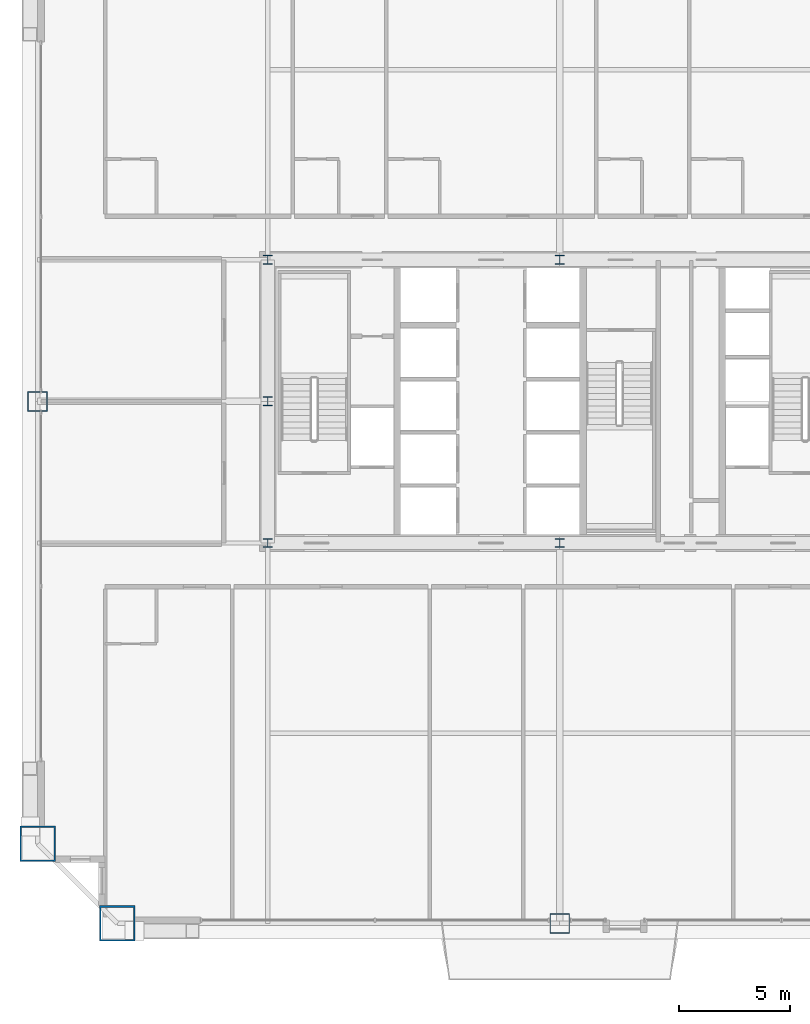
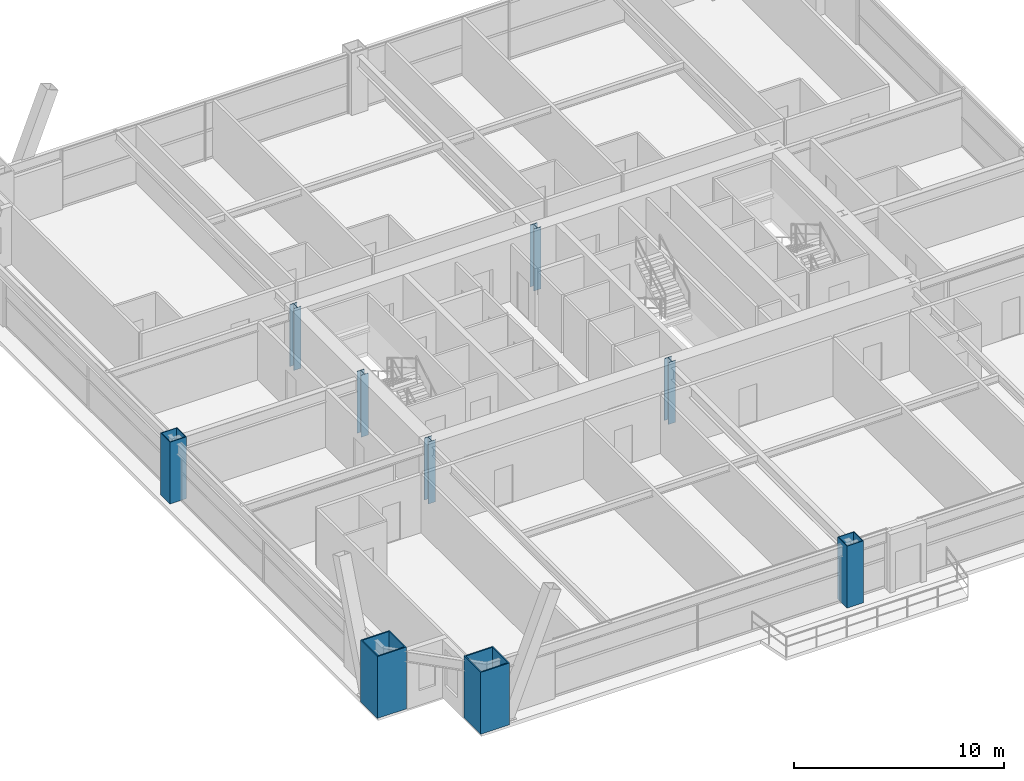
# One storey, part 1 of 41: 9 columns.
"""IFC4 building model written with IfcOpenShell, lengths in metres."""

from ifc_helpers import new_model, si_unit, direction, frame, origin, origin_2d, place, context, subcontext, project, spatial, hollow_rectangle, i_section, extrude, source, transform, mapped, material, material_profile, profile_set, type_object, element, save


model = new_model("IFC4")

# Units and contexts
model_context = context("Model", 3, precision=1e-05, world=origin(), true_north=direction((0.0, 1.0)))
body_context = subcontext(model_context, "Body", "Model", "MODEL_VIEW")
ifc_project = project(units=[si_unit("LENGTHUNIT", "METRE"), si_unit("AREAUNIT", "SQUARE_METRE"), si_unit("VOLUMEUNIT", "CUBIC_METRE"), si_unit("PLANEANGLEUNIT", "RADIAN"), si_unit("MASSUNIT", "GRAM", prefix="KILO"), si_unit("THERMODYNAMICTEMPERATUREUNIT", "KELVIN"), si_unit("POWERUNIT", "WATT")], contexts=[model_context])

# Site, building, storey
site_placement = place(None, origin())
site = spatial("IfcSite", under=ifc_project, at=site_placement, CompositionType="ELEMENT")
building_placement = place(site_placement, origin())
building = spatial("IfcBuilding", under=site, at=building_placement, Name="Yuzanri Waterfront Tower", CompositionType="ELEMENT")
storey_placement = place(building_placement, frame((0.0, 0.0, 152.39990234375)))
storey = spatial("IfcBuildingStorey", under=building, at=storey_placement, Name="L40", CompositionType="ELEMENT", Elevation=152.39990234375)

# Columns
ifc_material_1 = material(Name="Steel Q390GJC", Category="steel")
ifc_material_profile_1 = material_profile(ifc_material_1, hollow_rectangle(XDim=0.89990234375, YDim=0.89990234375, WallThickness=0.0419921875, at=origin_2d()), Name="RHS 900x900x42")
ifc_profile_set_1 = profile_set([ifc_material_profile_1], Name="Steel Q390GJC")
column_type_1 = type_object("IfcColumnType", Name="Frame Column Q390GJC RHS 900x900x42", PredefinedType="COLUMN", material=ifc_profile_set_1)
shared_shape_1 = source(origin(), body_context, "Body", "SweptSolid", [
    extrude(hollow_rectangle(XDim=0.89990234375, YDim=0.89990234375, WallThickness=0.0419921875, at=origin_2d()), origin(), (0.0, 0.0, 1.0), 3.60009765625),
])
for number, where, z_axis, x_axis, name in (
    (1, (37.0, 2.199951171875, 0.0), (0.0, 0.0, 1.0), (1.0, 0.0, 0.0), "L40 Perimeter Frame Column S2"),
    (2, (13.39990234375, 25.800048828125, 0.0), (0.0, 0.0, 1.0), (1.0, 0.0, 0.0), "L40 Perimeter Frame Column W2"),
):
    element("IfcColumn", number, at=place(storey_placement, frame(where, z_axis=z_axis, x_axis=x_axis)), inside=storey, type_object=column_type_1, Name=name, PredefinedType="COLUMN", context=body_context, shape_type="MappedRepresentation", body=[
        mapped(shared_shape_1, transform((0.0, 0.0, 0.0), scale=1.0)),
    ])
ifc_material_2 = material(Name="Steel Q420GJC", Category="steel")
ifc_material_profile_2 = material_profile(ifc_material_2, hollow_rectangle(XDim=1.60009765625, YDim=1.60009765625, WallThickness=0.070068359375, at=origin_2d()), Name="RHS 1600x1600x70")
ifc_profile_set_2 = profile_set([ifc_material_profile_2], Name="Steel Q420GJC")
column_type_2 = type_object("IfcColumnType", Name="Mega Column Q420GJC RHS 1600x1600x70", PredefinedType="COLUMN", material=ifc_profile_set_2)
shared_shape_2 = source(origin(), body_context, "Body", "SweptSolid", [
    extrude(hollow_rectangle(XDim=1.60009765625, YDim=1.60009765625, WallThickness=0.070068359375, at=origin_2d()), origin(), (0.0, 0.0, 1.0), 3.60009765625),
])
for number, where, z_axis, x_axis, name in (
    (3, (17.0, 2.199951171875, 0.0), (0.0, 0.0, 1.0), (1.0, 0.0, 0.0), "L40 Perimeter Mega Column S1"),
    (4, (13.39990234375, 5.800048828125, 0.0), (0.0, 0.0, 1.0), (1.0, 0.0, 0.0), "L40 Perimeter Mega Column W1"),
):
    element("IfcColumn", number, at=place(storey_placement, frame(where, z_axis=z_axis, x_axis=x_axis)), inside=storey, type_object=column_type_2, Name=name, PredefinedType="COLUMN", context=body_context, shape_type="MappedRepresentation", body=[
        mapped(shared_shape_2, transform((0.0, 0.0, 0.0), scale=1.0)),
    ])
ifc_material_3 = material(Name="Steel Q355B", Category="steel")
ifc_material_profile_3 = material_profile(ifc_material_3, i_section(OverallWidth=0.39990234375, OverallDepth=0.39990234375, WebThickness=0.012939453125, FlangeThickness=0.02099609375, at=origin_2d()), Name="HW 400x400x13x21")
ifc_profile_set_3 = profile_set([ifc_material_profile_3], Name="Steel Q355B")
column_type_3 = type_object("IfcColumnType", Name="Core Post Q355B HW 400x400x13x21", PredefinedType="COLUMN", material=ifc_profile_set_3)
shared_shape_3 = source(origin(), body_context, "Body", "SweptSolid", [
    extrude(i_section(OverallWidth=0.39990234375, OverallDepth=0.39990234375, WebThickness=0.012939453125, FlangeThickness=0.02099609375, at=origin_2d()), origin(), (0.0, 0.0, 1.0), 3.60009765625),
])
for number, where, z_axis, x_axis, name in (
    (5, (23.800048828125, 19.39990234375, 0.0), (0.0, 0.0, 1.0), (1.0, 0.0, 0.0), "L40 Core Boundary Column CP1"),
    (6, (37.0, 19.39990234375, 0.0), (0.0, 0.0, 1.0), (1.0, 0.0, 0.0), "L40 Core Boundary Column CP2"),
    (7, (23.800048828125, 25.800048828125, 0.0), (0.0, 0.0, 1.0), (1.0, 0.0, 0.0), "L40 Core Boundary Column CP4"),
    (8, (23.800048828125, 32.199951171875, 0.0), (0.0, 0.0, 1.0), (1.0, 0.0, 0.0), "L40 Core Boundary Column CP6"),
    (9, (37.0, 32.199951171875, 0.0), (0.0, 0.0, 1.0), (1.0, 0.0, 0.0), "L40 Core Boundary Column CP7"),
):
    element("IfcColumn", number, at=place(storey_placement, frame(where, z_axis=z_axis, x_axis=x_axis)), inside=storey, type_object=column_type_3, Name=name, PredefinedType="COLUMN", context=body_context, shape_type="MappedRepresentation", body=[
        mapped(shared_shape_3, transform((0.0, 0.0, 0.0), scale=1.0)),
    ])

save(model, "model.ifc")
